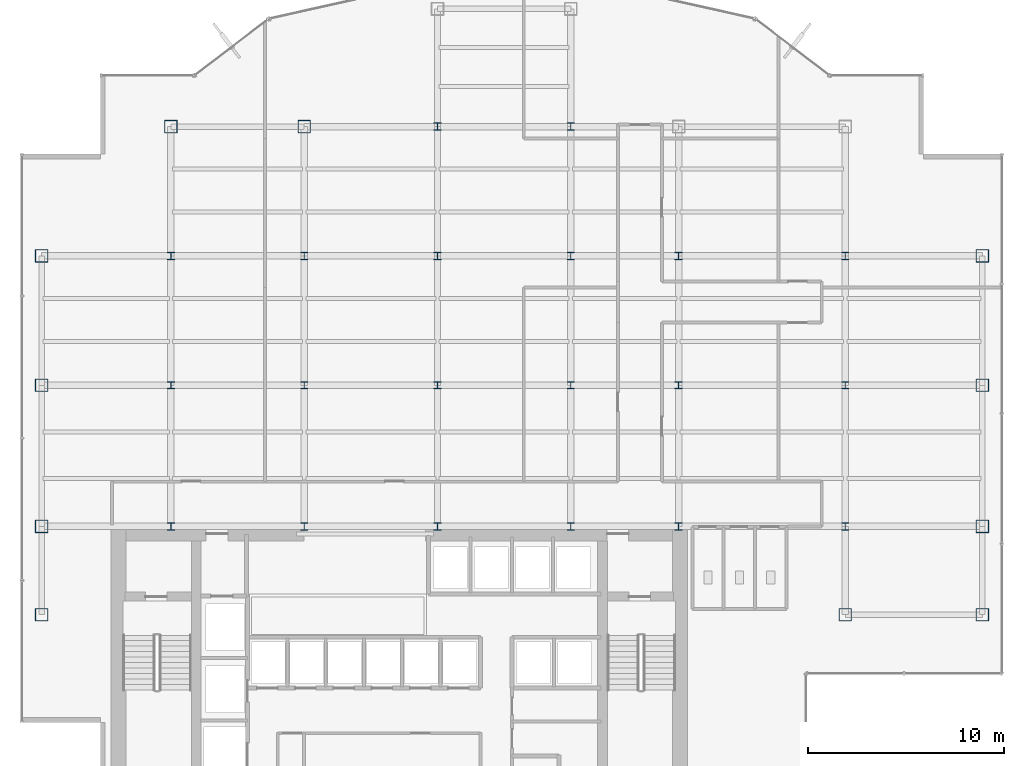
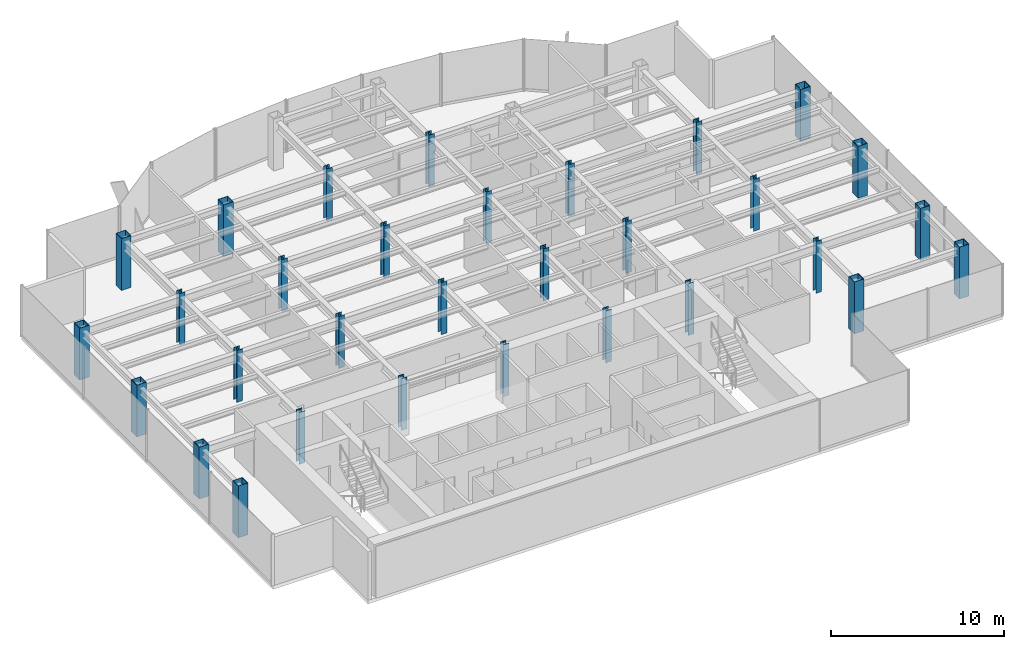
# One storey, part 1 of 25: 31 columns.
"""IFC4 building model written with IfcOpenShell, lengths in metres."""

from ifc_helpers import new_model, si_unit, derived_unit, direction, frame, origin, origin_2d, place, context, subcontext, project, spatial, hollow_rectangle, i_section, extrude, source, transform, mapped, material, material_profile, profile_set, type_object, element, save


model = new_model("IFC4")

# Units and contexts
model_context = context("Model", 3, precision=1e-05, world=origin(), true_north=direction((0.0, 1.0)))
body_context = subcontext(model_context, "Body", "Model", "MODEL_VIEW")
ifc_project = project(units=[si_unit("LENGTHUNIT", "METRE"), si_unit("AREAUNIT", "SQUARE_METRE"), si_unit("VOLUMEUNIT", "CUBIC_METRE"), si_unit("PLANEANGLEUNIT", "RADIAN"), si_unit("MASSUNIT", "GRAM", prefix="KILO"), derived_unit("THERMALTRANSMITTANCEUNIT", [(si_unit("POWERUNIT", "WATT"), 1), (si_unit("LENGTHUNIT", "METRE"), -2), (si_unit("THERMODYNAMICTEMPERATUREUNIT", "KELVIN"), -1)])], contexts=[model_context])

# Site, building, storey
site_placement = place(None, origin())
site = spatial("IfcSite", under=ifc_project, at=site_placement, CompositionType="ELEMENT")
building_placement = place(site_placement, origin())
building = spatial("IfcBuilding", under=site, at=building_placement, Name="Skarnbrae Concourse Arena and Tower", CompositionType="ELEMENT")
storey_placement = place(building_placement, frame((0.0, 0.0, 151.550048828125)))
storey = spatial("IfcBuildingStorey", under=building, at=storey_placement, Name="L38", CompositionType="ELEMENT", Elevation=151.550048828125)

# Columns
ifc_material = material(Name="Steel CSA G40.21 350W", Category="steel")
ifc_material_profile_1 = material_profile(ifc_material, hollow_rectangle(XDim=0.64990234375, YDim=0.64990234375, WallThickness=0.031982421875, at=origin_2d()), Name="BOX650X650X32")
ifc_profile_set_1 = profile_set([ifc_material_profile_1], Name="Steel CSA G40.21 350W")
column_type_1 = type_object("IfcColumnType", Name="COL-TUBE-BOX650", PredefinedType="COLUMN", material=ifc_profile_set_1)
shared_shape_1 = source(origin(), body_context, "Body", "SweptSolid", [
    extrude(hollow_rectangle(XDim=0.64990234375, YDim=0.64990234375, WallThickness=0.031982421875, at=origin_2d()), origin(), (0.0, 0.0, 1.0), 3.64990234375),
])
for number, where, z_axis, x_axis, name in (
    (1, (1.0, 9.5, 0.0), (0.0, 0.0, 1.0), (1.0, 0.0, 0.0), "L38 Tower column PC_01_01"),
    (2, (1.0, 14.0, 0.0), (0.0, 0.0, 1.0), (1.0, 0.0, 0.0), "L38 Tower column PC_01_02"),
    (3, (1.0, 21.199951171875, 0.0), (0.0, 0.0, 1.0), (1.0, 0.0, 0.0), "L38 Tower column PC_01_03"),
    (4, (1.0, 27.800048828125, 0.0), (0.0, 0.0, 1.0), (1.0, 0.0, 0.0), "L38 Tower column PC_01_04"),
    (5, (7.60009765625, 34.39990234375, 0.0), (0.0, 0.0, 1.0), (1.0, 0.0, 0.0), "L38 Tower column PC_02_05"),
    (6, (14.39990234375, 34.39990234375, 0.0), (0.0, 0.0, 1.0), (1.0, 0.0, 0.0), "L38 Tower column PC_03_05"),
    (7, (42.0, 9.5, 0.0), (0.0, 0.0, 1.0), (1.0, 0.0, 0.0), "L38 Tower column PC_07_01"),
    (8, (49.0, 9.5, 0.0), (0.0, 0.0, 1.0), (1.0, 0.0, 0.0), "L38 Tower column PC_08_01"),
    (9, (49.0, 14.0, 0.0), (0.0, 0.0, 1.0), (1.0, 0.0, 0.0), "L38 Tower column PC_08_02"),
    (10, (49.0, 21.199951171875, 0.0), (0.0, 0.0, 1.0), (1.0, 0.0, 0.0), "L38 Tower column PC_08_03"),
    (11, (49.0, 27.800048828125, 0.0), (0.0, 0.0, 1.0), (1.0, 0.0, 0.0), "L38 Tower column PC_08_04"),
):
    element("IfcColumn", number, at=place(storey_placement, frame(where, z_axis=z_axis, x_axis=x_axis)), inside=storey, type_object=column_type_1, Name=name, PredefinedType="COLUMN", context=body_context, shape_type="MappedRepresentation", body=[
        mapped(shared_shape_1, transform((0.0, 0.0, 0.0))),
    ])
ifc_material_profile_2 = material_profile(ifc_material, i_section(OverallWidth=0.3740234375, OverallDepth=0.3720703125, WebThickness=0.016357421875, FlangeThickness=0.026123046875, at=origin_2d()), Name="W360X196")
ifc_profile_set_2 = profile_set([ifc_material_profile_2], Name="Steel CSA G40.21 350W")
column_type_2 = type_object("IfcColumnType", Name="COL-INT-W360X196", PredefinedType="COLUMN", material=ifc_profile_set_2)
shared_shape_2 = source(origin(), body_context, "Body", "SweptSolid", [
    extrude(i_section(OverallWidth=0.3740234375, OverallDepth=0.3720703125, WebThickness=0.016357421875, FlangeThickness=0.026123046875, at=origin_2d()), origin(), (0.0, 0.0, 1.0), 3.64990234375),
])
for number, where, z_axis, x_axis, name in (
    (12, (7.60009765625, 14.0, 0.0), (0.0, 0.0, 1.0), (1.0, 0.0, 0.0), "L38 Tower column IC_02_02"),
    (13, (7.60009765625, 21.199951171875, 0.0), (0.0, 0.0, 1.0), (1.0, 0.0, 0.0), "L38 Tower column IC_02_03"),
    (14, (7.60009765625, 27.800048828125, 0.0), (0.0, 0.0, 1.0), (1.0, 0.0, 0.0), "L38 Tower column IC_02_04"),
    (15, (14.39990234375, 14.0, 0.0), (0.0, 0.0, 1.0), (1.0, 0.0, 0.0), "L38 Tower column IC_03_02"),
    (16, (14.39990234375, 21.199951171875, 0.0), (0.0, 0.0, 1.0), (1.0, 0.0, 0.0), "L38 Tower column IC_03_03"),
    (17, (14.39990234375, 27.800048828125, 0.0), (0.0, 0.0, 1.0), (1.0, 0.0, 0.0), "L38 Tower column IC_03_04"),
    (18, (21.199951171875, 14.0, 0.0), (0.0, 0.0, 1.0), (1.0, 0.0, 0.0), "L38 Tower column IC_04_02"),
    (19, (21.199951171875, 21.199951171875, 0.0), (0.0, 0.0, 1.0), (1.0, 0.0, 0.0), "L38 Tower column IC_04_03"),
    (20, (21.199951171875, 27.800048828125, 0.0), (0.0, 0.0, 1.0), (1.0, 0.0, 0.0), "L38 Tower column IC_04_04"),
    (21, (21.199951171875, 34.39990234375, 0.0), (0.0, 0.0, 1.0), (1.0, 0.0, 0.0), "L38 Tower column IC_04_05"),
    (22, (28.0, 14.0, 0.0), (0.0, 0.0, 1.0), (1.0, 0.0, 0.0), "L38 Tower column IC_05_02"),
    (23, (28.0, 21.199951171875, 0.0), (0.0, 0.0, 1.0), (1.0, 0.0, 0.0), "L38 Tower column IC_05_03"),
    (24, (28.0, 27.800048828125, 0.0), (0.0, 0.0, 1.0), (1.0, 0.0, 0.0), "L38 Tower column IC_05_04"),
    (25, (28.0, 34.39990234375, 0.0), (0.0, 0.0, 1.0), (1.0, 0.0, 0.0), "L38 Tower column IC_05_05"),
    (26, (33.5, 14.0, 0.0), (0.0, 0.0, 1.0), (1.0, 0.0, 0.0), "L38 Tower column IC_06_02"),
    (27, (33.5, 21.199951171875, 0.0), (0.0, 0.0, 1.0), (1.0, 0.0, 0.0), "L38 Tower column IC_06_03"),
    (28, (33.5, 27.800048828125, 0.0), (0.0, 0.0, 1.0), (1.0, 0.0, 0.0), "L38 Tower column IC_06_04"),
    (29, (42.0, 14.0, 0.0), (0.0, 0.0, 1.0), (1.0, 0.0, 0.0), "L38 Tower column IC_07_02"),
    (30, (42.0, 21.199951171875, 0.0), (0.0, 0.0, 1.0), (1.0, 0.0, 0.0), "L38 Tower column IC_07_03"),
    (31, (42.0, 27.800048828125, 0.0), (0.0, 0.0, 1.0), (1.0, 0.0, 0.0), "L38 Tower column IC_07_04"),
):
    element("IfcColumn", number, at=place(storey_placement, frame(where, z_axis=z_axis, x_axis=x_axis)), inside=storey, type_object=column_type_2, Name=name, PredefinedType="COLUMN", context=body_context, shape_type="MappedRepresentation", body=[
        mapped(shared_shape_2, transform((0.0, 0.0, 0.0))),
    ])

save(model, "model.ifc")
